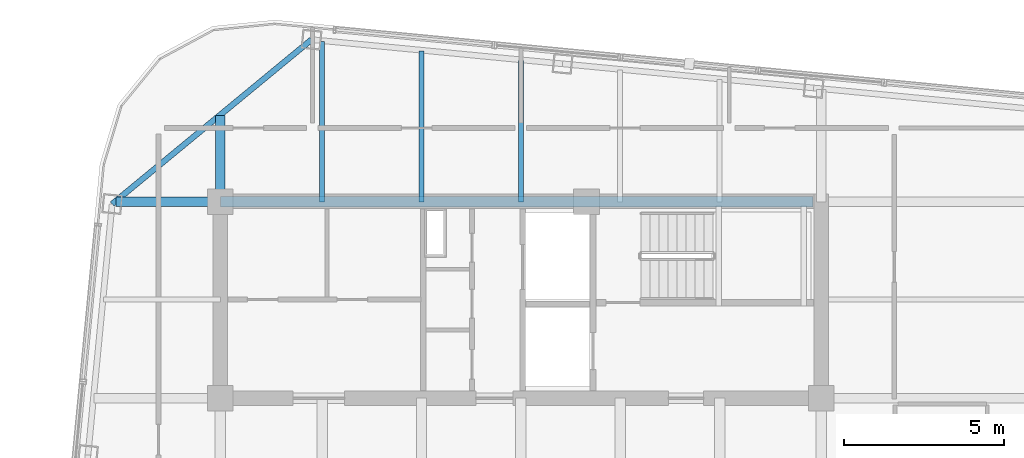
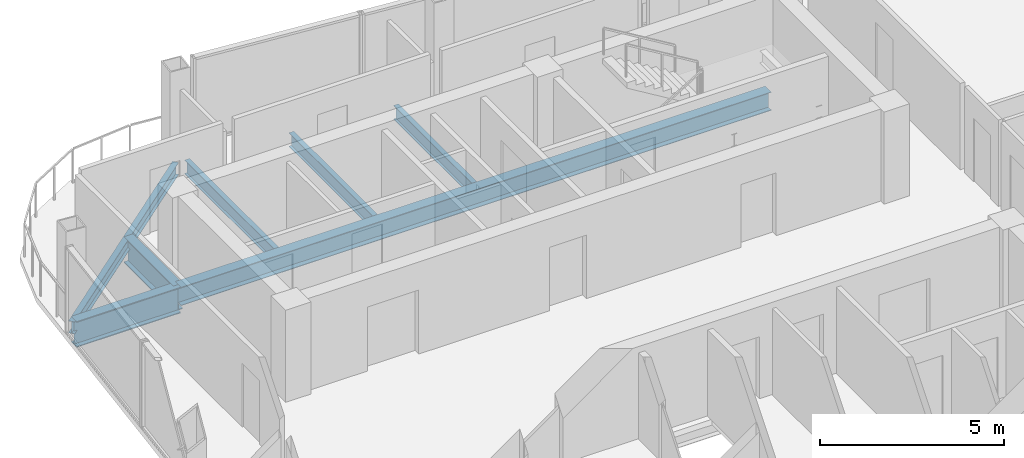
# One storey, part 13 of 23: 7 beams.
"""IFC4 building model written with IfcOpenShell, lengths in metres."""

from ifc_helpers import new_model, si_unit, direction, frame, origin, origin_2d, place, context, subcontext, project, spatial, i_section, extrude, material, material_profile, profile_set, type_object, element, save


model = new_model("IFC4")

# Units and contexts
model_context = context("Model", 3, precision=1e-05, world=origin(), true_north=direction((0.0, 1.0)))
body_context = subcontext(model_context, "Body", "Model", "MODEL_VIEW")
ifc_project = project(units=[si_unit("LENGTHUNIT", "METRE"), si_unit("AREAUNIT", "SQUARE_METRE"), si_unit("VOLUMEUNIT", "CUBIC_METRE"), si_unit("PLANEANGLEUNIT", "RADIAN"), si_unit("MASSUNIT", "GRAM", prefix="KILO")], contexts=[model_context])

# Site, building, storey
site_placement = place(None, origin())
site = spatial("IfcSite", under=ifc_project, at=site_placement, CompositionType="ELEMENT")
building_placement = place(site_placement, origin())
building = spatial("IfcBuilding", under=site, at=building_placement, Name="Qhalaya Broadcast Tower", CompositionType="ELEMENT")
storey_placement = place(building_placement, frame((0.0, 0.0, 264.199951171875)))
storey = spatial("IfcBuildingStorey", under=building, at=storey_placement, Name="L78", CompositionType="ELEMENT", Elevation=264.199951171875)

# Beams
ifc_material = material(Name="Structural Steel ASTM A992 Grade 50", Category="steel")
ifc_material_profile_1 = material_profile(ifc_material, i_section(OverallWidth=0.154052734375, OverallDepth=0.458984375, WebThickness=0.009033203125, FlangeThickness=0.015380859375, at=origin_2d()), Name="W18X46")
ifc_profile_set_1 = profile_set([ifc_material_profile_1], Name="Structural Steel ASTM A992 Grade 50")
beam_type_1 = type_object("IfcBeamType", Name="Composite Floor Joist J04", PredefinedType="JOIST", material=ifc_profile_set_1)
beam_1_placement = place(storey_placement, frame((-6.199951171875, 9.949951171875, -0.41943359375), z_axis=(0.0, 1.0, 0.0), x_axis=(-1.0, 0.0, 0.0)))
element("IfcBeam", 1, at=beam_1_placement, inside=storey, type_object=beam_type_1, Name="L78 J04 L78-JNN1-1", PredefinedType="JOIST", context=body_context, shape_type="SweptSolid", body=[
    extrude(i_section(OverallWidth=0.154052734375, OverallDepth=0.458984375, WebThickness=0.009033203125, FlangeThickness=0.015380859375, at=origin_2d()), origin(), (0.0, 0.0, 1.0), 5.0087890625),
])
beam_2_placement = place(storey_placement, frame((-3.10009765625, 9.949951171875, -0.41943359375), z_axis=(0.0, 1.0, 0.0), x_axis=(-1.0, 0.0, 0.0)))
element("IfcBeam", 2, at=beam_2_placement, inside=storey, type_object=beam_type_1, Name="L78 J04 L78-JNN2-1", PredefinedType="JOIST", context=body_context, shape_type="SweptSolid", body=[
    extrude(i_section(OverallWidth=0.154052734375, OverallDepth=0.458984375, WebThickness=0.009033203125, FlangeThickness=0.015380859375, at=origin_2d()), origin(), (0.0, 0.0, 1.0), 4.710205078125),
])
beam_3_placement = place(storey_placement, frame((0.0, 9.949951171875, -0.41943359375), z_axis=(0.0, 1.0, 0.0), x_axis=(-1.0, 0.0, 0.0)))
element("IfcBeam", 3, at=beam_3_placement, inside=storey, type_object=beam_type_1, Name="L78 J04 L78-JNN3-1", PredefinedType="JOIST", context=body_context, shape_type="SweptSolid", body=[
    extrude(i_section(OverallWidth=0.154052734375, OverallDepth=0.458984375, WebThickness=0.009033203125, FlangeThickness=0.015380859375, at=origin_2d()), origin(), (0.0, 0.0, 1.0), 4.411865234375),
])
ifc_material_profile_2 = material_profile(ifc_material, i_section(OverallWidth=0.323974609375, OverallDepth=0.612060546875, WebThickness=0.0126953125, FlangeThickness=0.01904296875, at=origin_2d()), Name="W24X104")
ifc_profile_set_2 = profile_set([ifc_material_profile_2], Name="Structural Steel ASTM A992 Grade 50")
beam_type_2 = type_object("IfcBeamType", Name="Core Frame Tie Beam B04", PredefinedType="BEAM", material=ifc_profile_set_2)
beam_4_placement = place(storey_placement, frame((-9.375, 9.949951171875, -0.495849609375), z_axis=(1.0, 0.0, 0.0), x_axis=(0.0, 1.0, 0.0)))
element("IfcBeam", 4, at=beam_4_placement, inside=storey, type_object=beam_type_2, Name="L78 B04 L78-CCN3", PredefinedType="BEAM", context=body_context, shape_type="SweptSolid", body=[
    extrude(i_section(OverallWidth=0.323974609375, OverallDepth=0.612060546875, WebThickness=0.0126953125, FlangeThickness=0.01904296875, at=origin_2d()), origin(), (0.0, 0.0, 1.0), 18.4951171875),
])
ifc_material_profile_3 = material_profile(ifc_material, i_section(OverallWidth=0.2919921875, OverallDepth=0.85888671875, WebThickness=0.01708984375, FlangeThickness=0.031005859375, at=origin_2d()), Name="W33X169")
ifc_profile_set_3 = profile_set([ifc_material_profile_3], Name="Structural Steel ASTM A992 Grade 50")
beam_type_3 = type_object("IfcBeamType", Name="Upper Block Primary Girder PG4", PredefinedType="USERDEFINED", material=ifc_profile_set_3)
beam_5_placement = place(storey_placement, frame((-9.375, 9.949951171875, -0.619384765625), z_axis=(0.0, 1.0, 0.0), x_axis=(-1.0, 0.0, 0.0)))
element("IfcBeam", 5, at=beam_5_placement, inside=storey, type_object=beam_type_3, Name="L78 PG4 L78-PGXN1-1", ObjectType="GIRDER", PredefinedType="USERDEFINED", context=body_context, shape_type="SweptSolid", body=[
    extrude(i_section(OverallWidth=0.2919921875, OverallDepth=0.85888671875, WebThickness=0.01708984375, FlangeThickness=0.031005859375, at=origin_2d()), origin(), (0.0, 0.0, 1.0), 2.68798828125),
])
beam_6_placement = place(storey_placement, frame((-12.6357421875, 9.949951171875, -0.619384765625), z_axis=(1.0, 0.0, 0.0), x_axis=(0.0, 1.0, 0.0)))
element("IfcBeam", 6, at=beam_6_placement, inside=storey, type_object=beam_type_3, Name="L78 PG4 L78-PGYW4-1", ObjectType="GIRDER", PredefinedType="USERDEFINED", context=body_context, shape_type="SweptSolid", body=[
    extrude(i_section(OverallWidth=0.2919921875, OverallDepth=0.85888671875, WebThickness=0.01708984375, FlangeThickness=0.031005859375, at=origin_2d()), origin(), (0.0, 0.0, 1.0), 3.2607421875),
])
ifc_material_profile_4 = material_profile(ifc_material, i_section(OverallWidth=0.177978515625, OverallDepth=0.406005859375, WebThickness=0.0078125, FlangeThickness=0.0126953125, at=origin_2d()), Name="W16X40")
ifc_profile_set_4 = profile_set([ifc_material_profile_4], Name="Structural Steel ASTM A992 Grade 50")
beam_type_4 = type_object("IfcBeamType", Name="Upper Perimeter Spandrel Beam SP2", PredefinedType="SPANDREL", material=ifc_profile_set_4)
beam_7_placement = place(storey_placement, frame((-6.5283203125, 15.010498046875, -0.39306640625), z_axis=(-0.771631160126, -0.636070241972, 0.0), x_axis=(0.636070241972, -0.771631160126, 0.0)))
element("IfcBeam", 7, at=beam_7_placement, inside=storey, type_object=beam_type_4, Name="L78 SP2 L78-SPR-12", PredefinedType="SPANDREL", context=body_context, shape_type="SweptSolid", body=[
    extrude(i_section(OverallWidth=0.177978515625, OverallDepth=0.406005859375, WebThickness=0.0078125, FlangeThickness=0.0126953125, at=origin_2d()), origin(), (0.0, 0.0, 1.0), 8.06103515625),
])

save(model, "model.ifc")
